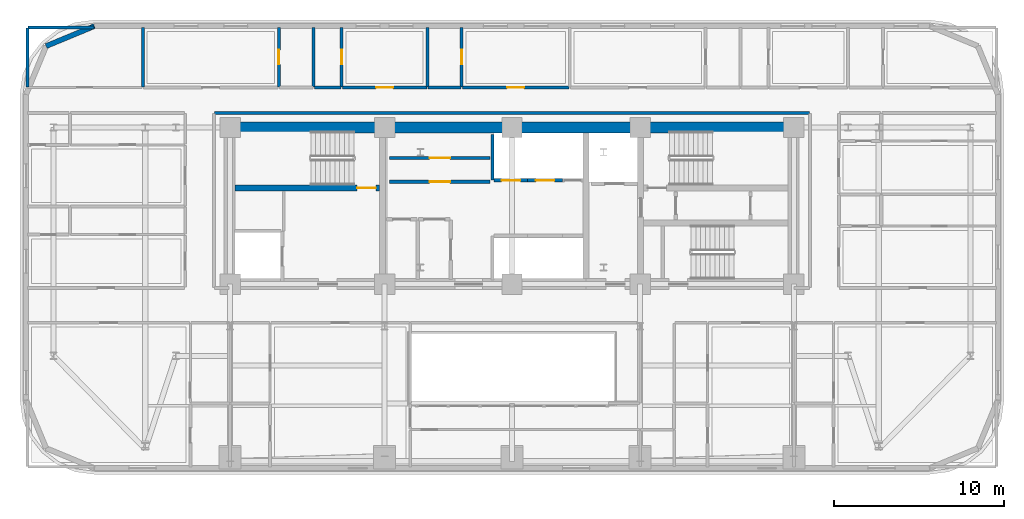
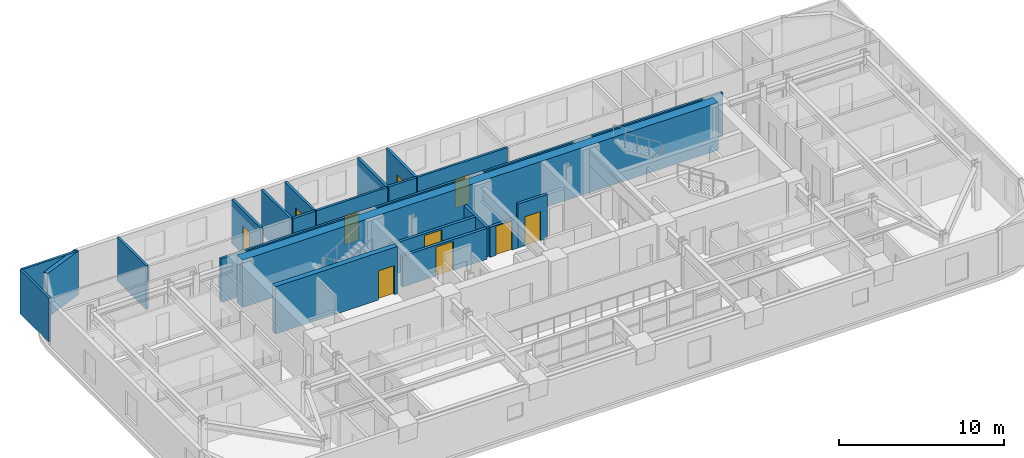
# One storey, part 10 of 16: 21 walls, 10 doors, 10 openings.
"""IFC4 building model written with IfcOpenShell, lengths in metres."""

import ifcopenshell
import ifcopenshell.guid

model = None  # the IFC model being written
_history = None  # IfcOwnerHistory: only IFC2X3 demands one
_inside = {}  # id of a spatial element -> (the spatial element, [elements in it])
_under = {}  # id of a project, library or spatial element -> (it, [spatial elements below it])
_declared = {}  # id of a project -> (the project, [libraries it declares])
_typed = {}  # id of a type object -> (the type object, [elements of that type])
_made_of = {}  # id of a material, layer set ... -> (it, [elements and type objects made of it])


def new_model(schema):
    """Start an empty IFC model of exactly this schema.

    Asked for "IFC4X3", IfcOpenShell would pick the latest addendum, in which some entities
    have other attributes; the version numbers below select the first issue.
    IFC2X3 requires an IfcOwnerHistory on every rooted entity: one is made here for all.
    """
    global model, _history
    if schema == "IFC4X3":
        model = ifcopenshell.file(schema_version=(4, 3, 0, 0))
    else:
        model = ifcopenshell.file(schema=schema)
    _inside.clear()
    _under.clear()
    _declared.clear()
    _typed.clear()
    _made_of.clear()
    _history = None
    if model.schema == "IFC2X3":
        org = make("IfcOrganization", Name="unknown")
        user = make(
            "IfcPersonAndOrganization",
            ThePerson=make("IfcPerson", FamilyName="unknown"),
            TheOrganization=org,
        )
        app = make(
            "IfcApplication",
            ApplicationDeveloper=org,
            Version="unknown",
            ApplicationFullName="unknown",
            ApplicationIdentifier="unknown",
        )
        _history = make(
            "IfcOwnerHistory",
            OwningUser=user,
            OwningApplication=app,
            ChangeAction="ADDED",
            CreationDate=0,
        )
    return model


def make(cls, **values):
    """One entity of the class cls with the attributes given. An attribute that is None is left unset."""
    return model.create_entity(
        cls, **{name: value for name, value in values.items() if value is not None}
    )


def rooted(cls, **values):
    """An entity with a GlobalId (a new one), such as an element, a storey or a relation."""
    return make(cls, GlobalId=ifcopenshell.guid.new(), OwnerHistory=_history, **values)


def si_unit(unit_type, name, prefix=None):
    """IfcSIUnit, for example si_unit("LENGTHUNIT", "METRE", prefix="MILLI")."""
    return make("IfcSIUnit", UnitType=unit_type, Prefix=prefix, Name=name)


def assignment(units):
    """IfcUnitAssignment: the units of a project."""
    return None if units is None else make("IfcUnitAssignment", Units=units)


def point(xyz):
    """IfcCartesianPoint."""
    return None if xyz is None else make("IfcCartesianPoint", Coordinates=xyz)


def direction(xyz):
    """IfcDirection."""
    return None if xyz is None else make("IfcDirection", DirectionRatios=xyz)


def frame(location, z_axis=None, x_axis=None):
    """IfcAxis2Placement3D, a coordinate frame: its origin and axes. An axis left out is left unset."""
    return make(
        "IfcAxis2Placement3D",
        Location=point(location),
        Axis=direction(z_axis),
        RefDirection=direction(x_axis),
    )


def frame_2d(location, x_axis=None):
    """IfcAxis2Placement2D, a coordinate frame in the plane: its origin and x axis."""
    return make(
        "IfcAxis2Placement2D", Location=point(location), RefDirection=direction(x_axis)
    )


def origin():
    """The frame at (0, 0, 0) with its axes left unset."""
    return frame((0.0, 0.0, 0.0))


def place(relative_to, where):
    """IfcLocalPlacement: puts the frame where relative to a parent placement (None: the world)."""
    return make(
        "IfcLocalPlacement", PlacementRelTo=relative_to, RelativePlacement=where
    )


def context(
    kind, dimensions, precision=None, world=None, true_north=None, identifier=None
):
    """IfcGeometricRepresentationContext, for example the 3D "Model" context."""
    return make(
        "IfcGeometricRepresentationContext",
        ContextIdentifier=identifier,
        ContextType=kind,
        CoordinateSpaceDimension=dimensions,
        Precision=precision,
        WorldCoordinateSystem=world,
        TrueNorth=true_north,
    )


def subcontext(parent, identifier, kind, view, scale=None):
    """IfcGeometricRepresentationSubContext, for example "Body" below "Model"."""
    return make(
        "IfcGeometricRepresentationSubContext",
        ContextIdentifier=identifier,
        ContextType=kind,
        ParentContext=parent,
        TargetScale=scale,
        TargetView=view,
    )


def project(units=None, contexts=None):
    """IfcProject with its units and contexts."""
    return rooted(
        "IfcProject",
        Name="project",
        RepresentationContexts=contexts,
        UnitsInContext=assignment(units),
    )


def spatial(cls, under=None, at=None, **own):
    """A site, building, storey or space (cls), placed at a placement, below another one or the project."""
    s = rooted(cls, ObjectPlacement=at, **own)
    if under is not None:
        _under.setdefault(under.id(), (under, []))[1].append(s)
    return s


def profile(cls, at=None, kind="AREA", **sizes):
    """A parametric profile (cls). Its sizes go by their IFC names, for example OverallWidth=200.0."""
    return make(cls, ProfileType=kind, Position=at, **sizes)


def rectangle(**sizes):
    """IfcRectangleProfileDef."""
    return profile("IfcRectangleProfileDef", **sizes)


def extrude(swept, where, along, depth):
    """IfcExtrudedAreaSolid: the profile swept, set in the frame where, extruded along a direction by depth."""
    return make(
        "IfcExtrudedAreaSolid",
        SweptArea=swept,
        Position=where,
        ExtrudedDirection=direction(along),
        Depth=depth,
    )


def shape(context_of_items, identifier, shape_type, items):
    """IfcShapeRepresentation: the items that make up one representation, for example the "Body"."""
    return make(
        "IfcShapeRepresentation",
        ContextOfItems=context_of_items,
        RepresentationIdentifier=identifier,
        RepresentationType=shape_type,
        Items=items,
    )


def material(Name=None, Category=None):
    """IfcMaterial."""
    return make("IfcMaterial", Name=Name, Category=Category)


def layer(
    of_material, thickness, ventilated=None, Name=None, Category=None, Priority=None
):
    """IfcMaterialLayer: one layer of a wall or slab, of a material (None: an air gap)."""
    return make(
        "IfcMaterialLayer",
        Material=of_material,
        LayerThickness=thickness,
        IsVentilated=ventilated,
        Name=Name,
        Category=Category,
        Priority=Priority,
    )


def layer_set(layers, Name=None):
    """IfcMaterialLayerSet."""
    return make("IfcMaterialLayerSet", MaterialLayers=layers, LayerSetName=Name)


def made_of(thing, what):
    """Note that an element or type object is made of a material, layer set ...; save() writes the relation."""
    if what is not None:
        _made_of.setdefault(what.id(), (what, []))[1].append(thing)
    return thing


def type_object(cls, material=None, **own):
    """A type object (cls), such as IfcWallType, which elements share."""
    return made_of(rooted(cls, **own), material)


def element(
    cls,
    number,
    at=None,
    inside=None,
    cuts=None,
    type_object=None,
    material=None,
    context=None,
    identifier="Body",
    shape_type=None,
    held_by="IfcProductDefinitionShape",
    body=None,
    shapes=None,
    **own,
):
    """One element of the class cls, such as IfcWall. Its Tag is "e" and its number.

    at: its placement. inside: the storey or other place that contains it. cuts: it is an
    opening in that element (IfcRelVoidsElement). A single representation is given by context,
    identifier, shape_type and body (its items); several are given by shapes. held_by: the class
    of the entity that holds the representations. save() writes the other relations.
    """
    e = rooted(cls, Tag="e%d" % number, ObjectPlacement=at, **own)
    if body is not None:
        shapes = [shape(context, identifier, shape_type, body)]
    if shapes is not None:
        e.Representation = make(held_by, Representations=shapes)
    if inside is not None:
        _inside.setdefault(inside.id(), (inside, []))[1].append(e)
    if cuts is not None:
        rooted(
            "IfcRelVoidsElement", RelatingBuildingElement=cuts, RelatedOpeningElement=e
        )
    if type_object is not None:
        _typed.setdefault(type_object.id(), (type_object, []))[1].append(e)
    return made_of(e, material)


def fill(opening, filler):
    """IfcRelFillsElement: the door or window that sits in an opening."""
    return rooted(
        "IfcRelFillsElement",
        RelatingOpeningElement=opening,
        RelatedBuildingElement=filler,
    )


def aggregate(whole, parts):
    """IfcRelAggregates: a whole, such as a stair, and the parts it consists of."""
    return rooted("IfcRelAggregates", RelatingObject=whole, RelatedObjects=parts)


def save(model, path):
    """Write the relations noted so far, then the file.

    IfcRelAggregates (storeys below a building ...), IfcRelContainedInSpatialStructure (elements
    in a storey), IfcRelDefinesByType, IfcRelAssociatesMaterial and IfcRelDeclares: one each for
    every whole, place, type object, material and project.
    """
    for whole, parts in _under.values():
        aggregate(whole, parts)
    for where, things in _inside.values():
        rooted(
            "IfcRelContainedInSpatialStructure",
            RelatedElements=things,
            RelatingStructure=where,
        )
    for kind, things in _typed.values():
        rooted("IfcRelDefinesByType", RelatedObjects=things, RelatingType=kind)
    for what, things in _made_of.values():
        rooted("IfcRelAssociatesMaterial", RelatedObjects=things, RelatingMaterial=what)
    for by, libraries in _declared.values():
        rooted("IfcRelDeclares", RelatingContext=by, RelatedDefinitions=libraries)
    model.write(path)


model = new_model("IFC4")

# Units and contexts
model_context = context("Model", 3, precision=1e-05, world=origin(), true_north=direction((0.0, 1.0)))
body_context = subcontext(model_context, "Body", "Model", "MODEL_VIEW")
ifc_project = project(units=[si_unit("LENGTHUNIT", "METRE"), si_unit("AREAUNIT", "SQUARE_METRE"), si_unit("VOLUMEUNIT", "CUBIC_METRE"), si_unit("PLANEANGLEUNIT", "RADIAN"), si_unit("MASSUNIT", "GRAM", prefix="KILO")], contexts=[model_context])

# Site, building, storey
site_placement = place(None, origin())
site = spatial("IfcSite", under=ifc_project, at=site_placement, CompositionType="ELEMENT")
building_placement = place(site_placement, origin())
building = spatial("IfcBuilding", under=site, at=building_placement, Name="Zarnavel Station Tower", CompositionType="ELEMENT")
storey_placement = place(building_placement, frame((0.0, 0.0, 94.300048828125)))
storey = spatial("IfcBuildingStorey", under=building, at=storey_placement, Name="L25", CompositionType="ELEMENT", Elevation=94.300048828125)

# Wall, opening, door
ifc_material_1 = material(Name="Concrete C50/60", Category="concrete")
ifc_layer_1 = layer(ifc_material_1, 0.35009765625)
ifc_layer_set_1 = layer_set([ifc_layer_1], Name="CW_350")
wall_type_1 = type_object("IfcWallType", Name="CW_350", PredefinedType="SHEAR", material=ifc_layer_set_1)
wall_1_placement = place(storey_placement, frame((21.0048828125, 33.47998046875, 0.0), z_axis=(0.0, 0.0, 1.0), x_axis=(-1.0, 0.0, 0.0)))
wall_1 = element("IfcWall", 1, at=wall_1_placement, inside=storey, type_object=wall_type_1, Name="L25 Rear Core Shear Wall DIV-H1", PredefinedType="SHEAR", context=body_context, shape_type="SweptSolid", body=[
    extrude(rectangle(XDim=8.52978515625, YDim=0.35009765625, at=frame_2d((4.264892578125, 0.0))), origin(), (0.0, 0.0, 1.0), 3.5),
])
opening_1_placement = place(wall_1_placement, frame((0.219970703125, 0.0, 0.0)))
opening_1 = element("IfcOpeningElement", 2, at=opening_1_placement, cuts=wall_1, Name="Opening FD01", PredefinedType="OPENING", context=body_context, shape_type="SweptSolid", body=[
    extrude(rectangle(XDim=1.10009765625, YDim=2.14990234375, at=frame_2d((0.550048828125, 1.074951171875))), frame((0.0, 0.18505859375, 0.0), z_axis=(0.0, -1.0, 0.0), x_axis=(1.0, 0.0, 0.0)), (0.0, 0.0, 1.0), 0.3701171875),
])
ifc_material_2 = material(Name="Painted Galvanised Steel and Hardwood Leaf", Category="steel")
door_type_1 = type_object("IfcDoorType", Name="ID_STAIR_1100", OperationType="NOTDEFINED", PredefinedType="DOOR", material=ifc_material_2)
door_1_placement = place(opening_1_placement, origin())
door_1 = element("IfcDoor", 3, at=door_1_placement, inside=storey, type_object=door_type_1, Name="L25 Stair ST1 Lobby Fire Door", OperationType="SINGLE_SWING_LEFT", OverallHeight=2.14990234375, OverallWidth=1.10009765625, PredefinedType="DOOR", context=body_context, shape_type="SweptSolid", body=[
    extrude(rectangle(XDim=1.10009765625, YDim=2.14990234375, at=frame_2d((0.550048828125, 1.074951171875))), frame((0.0, 0.02490234375, 0.0), z_axis=(0.0, -1.0, 0.0), x_axis=(1.0, 0.0, 0.0)), (0.0, 0.0, 1.0), 0.050048828125),
])
fill(opening_1, door_1)

# Walls
ifc_material_3 = material(Name="Concrete C60/75", Category="concrete")
ifc_layer_2 = layer(ifc_material_3, 0.64990234375)
ifc_layer_set_2 = layer_set([ifc_layer_2], Name="CW_650")
wall_type_2 = type_object("IfcWallType", Name="CW_650", PredefinedType="SHEAR", material=ifc_layer_set_2)
wall_2_placement = place(storey_placement, frame((12.14990234375, 37.050048828125, 0.0), z_axis=(0.0, 0.0, 1.0), x_axis=(1.0, 0.0, 0.0)))
element("IfcWall", 4, at=wall_2_placement, inside=storey, type_object=wall_type_2, Name="L25 Rear Core Shear Wall N", PredefinedType="SHEAR", context=body_context, shape_type="SweptSolid", body=[
    extrude(rectangle(XDim=33.22998046875, YDim=0.64990234375, at=frame_2d((16.614990234375, 0.0))), origin(), (0.0, 0.0, 1.0), 3.5),
])
ifc_material_4 = material(Name="Precast concrete C45/55 (Dark Basalt Finish)", Category="masonry")
ifc_layer_3 = layer(ifc_material_4, 0.300048828125)
ifc_layer_set_3 = layer_set([ifc_layer_3], Name="EW_BASALT_300")
wall_type_3 = type_object("IfcWallType", Name="EW_BASALT_300", PredefinedType="SOLIDWALL", material=ifc_layer_set_3)
wall_3_placement = place(storey_placement, frame((1.357421875, 41.842529296875, 0.0), z_axis=(0.0, 0.0, 1.0), x_axis=(0.923870793506, 0.382704529509, 0.0)))
element("IfcWall", 5, at=wall_3_placement, inside=storey, type_object=wall_type_3, Name="L25 Exterior Basalt Masonry Frame Wall 07", PredefinedType="SOLIDWALL", context=body_context, shape_type="SweptSolid", body=[
    extrude(rectangle(XDim=3.07666015625, YDim=0.300048828125, at=frame_2d((1.538330078125, 0.0))), origin(), (0.0, 0.0, 1.0), 3.239990234375),
])

# Wall, opening, door
ifc_material_5 = material(Name="Gypsum Twin-Stud Acoustic Fire Partition", Category="concrete")
ifc_layer_4 = layer(ifc_material_5, 0.159912109375)
ifc_layer_set_4 = layer_set([ifc_layer_4], Name="PT_DEMISE_160")
wall_type_4 = type_object("IfcWallType", Name="PT_DEMISE_160", PredefinedType="PARTITIONING", material=ifc_layer_set_4)
wall_4_placement = place(storey_placement, frame((18.805908203125, 39.39990234375, 0.0), z_axis=(0.0, 0.0, 1.0), x_axis=(1.0, 0.0, 0.0)))
wall_4 = element("IfcWall", 6, at=wall_4_placement, inside=storey, type_object=wall_type_4, Name="L25 Partition COR-N-HN2R", PredefinedType="PARTITIONING", context=body_context, shape_type="SweptSolid", body=[
    extrude(rectangle(XDim=4.97412109375, YDim=0.159912109375, at=frame_2d((2.487060546875, 0.0))), origin(), (0.0, 0.0, 1.0), 3.239990234375),
])
opening_2_placement = place(wall_4_placement, frame((1.987060546875, 0.0, 0.0)))
opening_2 = element("IfcOpeningElement", 7, at=opening_2_placement, cuts=wall_4, Name="Opening FD02", PredefinedType="OPENING", context=body_context, shape_type="SweptSolid", body=[
    extrude(rectangle(XDim=1.0, YDim=2.14990234375, at=frame_2d((0.5, 1.074951171875))), frame((0.0, 0.08984375, 0.0), z_axis=(0.0, -1.0, 0.0), x_axis=(1.0, 0.0, 0.0)), (0.0, 0.0, 1.0), 0.179931640625),
])
ifc_material_6 = material(Name="Painted Galvanised Steel and Hardwood Leaf", Category="steel")
door_type_2 = type_object("IfcDoorType", Name="ID_ENTRY_1000", OperationType="NOTDEFINED", PredefinedType="DOOR", material=ifc_material_6)
door_2_placement = place(opening_2_placement, origin())
door_2 = element("IfcDoor", 8, at=door_2_placement, inside=storey, type_object=door_type_2, Name="L25 Door COR-N-HN2R", OperationType="SINGLE_SWING_LEFT", OverallHeight=2.14990234375, OverallWidth=1.0, PredefinedType="DOOR", context=body_context, shape_type="SweptSolid", body=[
    extrude(rectangle(XDim=1.0, YDim=2.14990234375, at=frame_2d((0.5, 1.074951171875))), frame((0.0, 0.02490234375, 0.0), z_axis=(0.0, -1.0, 0.0), x_axis=(1.0, 0.0, 0.0)), (0.0, 0.0, 1.0), 0.050048828125),
])
fill(opening_2, door_2)

wall_5_placement = place(storey_placement, frame((25.87109375, 39.39990234375, 0.0), z_axis=(0.0, 0.0, 1.0), x_axis=(1.0, 0.0, 0.0)))
wall_5 = element("IfcWall", 9, at=wall_5_placement, inside=storey, type_object=wall_type_4, Name="L25 Partition COR-N-HN3R", PredefinedType="PARTITIONING", context=body_context, shape_type="SweptSolid", body=[
    extrude(rectangle(XDim=6.288818359375, YDim=0.159912109375, at=frame_2d((3.14453125, 0.0))), origin(), (0.0, 0.0, 1.0), 3.239990234375),
])
opening_3_placement = place(wall_5_placement, frame((2.64453125, 0.0, 0.0)))
opening_3 = element("IfcOpeningElement", 10, at=opening_3_placement, cuts=wall_5, Name="Opening FD02", PredefinedType="OPENING", context=body_context, shape_type="SweptSolid", body=[
    extrude(rectangle(XDim=1.0, YDim=2.14990234375, at=frame_2d((0.5, 1.074951171875))), frame((0.0, 0.08984375, 0.0), z_axis=(0.0, -1.0, 0.0), x_axis=(1.0, 0.0, 0.0)), (0.0, 0.0, 1.0), 0.179931640625),
])
door_3_placement = place(opening_3_placement, origin())
door_3 = element("IfcDoor", 11, at=door_3_placement, inside=storey, type_object=door_type_2, Name="L25 Door COR-N-HN3R", OperationType="SINGLE_SWING_RIGHT", OverallHeight=2.14990234375, OverallWidth=1.0, PredefinedType="DOOR", context=body_context, shape_type="SweptSolid", body=[
    extrude(rectangle(XDim=1.0, YDim=2.14990234375, at=frame_2d((0.5, 1.074951171875))), frame((0.0, 0.02490234375, 0.0), z_axis=(0.0, -1.0, 0.0), x_axis=(1.0, 0.0, 0.0)), (0.0, 0.0, 1.0), 0.050048828125),
])
fill(opening_3, door_3)

# Walls
wall_6_placement = place(storey_placement, frame((7.06005859375, 39.43994140625, 0.0), z_axis=(0.0, 0.0, 1.0), x_axis=(0.0, 1.0, 0.0)))
element("IfcWall", 12, at=wall_6_placement, inside=storey, type_object=wall_type_4, Name="L25 Partition HSKP-HN1R", PredefinedType="PARTITIONING", context=body_context, shape_type="SweptSolid", body=[
    extrude(rectangle(XDim=3.5, YDim=0.159912109375, at=frame_2d((1.75, 0.0))), origin(), (0.0, 0.0, 1.0), 3.239990234375),
])
wall_7_placement = place(storey_placement, frame((11.280029296875, 37.89990234375, 0.0), z_axis=(0.0, 0.0, 1.0), x_axis=(1.0, 0.0, 0.0)))
element("IfcWall", 13, at=wall_7_placement, inside=storey, type_object=wall_type_4, Name="L25 Enclosure Wall COR-N", PredefinedType="PARTITIONING", context=body_context, shape_type="SweptSolid", body=[
    extrude(rectangle(XDim=35.0400390625, YDim=0.159912109375, at=frame_2d((17.52001953125, 0.0))), origin(), (0.0, 0.0, 1.0), 3.239990234375),
])
wall_8_placement = place(storey_placement, frame((0.2900390625, 42.93994140625, 0.0), z_axis=(0.0, 0.0, 1.0), x_axis=(1.0, 0.0, 0.0)))
element("IfcWall", 14, at=wall_8_placement, inside=storey, type_object=wall_type_4, Name="L25 Enclosure Wall HSKP", PredefinedType="PARTITIONING", context=body_context, shape_type="SweptSolid", body=[
    extrude(rectangle(XDim=3.8798828125, YDim=0.159912109375, at=frame_2d((1.93994140625, 0.0))), origin(), (0.0, 0.0, 1.0), 3.239990234375),
])
wall_9_placement = place(storey_placement, frame((0.260009765625, 39.429931640625, 0.0), z_axis=(0.0, 0.0, 1.0), x_axis=(0.0, 1.0, 0.0)))
element("IfcWall", 15, at=wall_9_placement, inside=storey, type_object=wall_type_4, Name="L25 Enclosure Wall HSKP", PredefinedType="PARTITIONING", context=body_context, shape_type="SweptSolid", body=[
    extrude(rectangle(XDim=3.47998046875, YDim=0.159912109375, at=frame_2d((1.739990234375, 0.0))), origin(), (0.0, 0.0, 1.0), 3.239990234375),
])

# Wall, opening, door
ifc_material_7 = material(Name="Precast concrete C45/55 (Fire Shaft Blockwork)", Category="masonry")
ifc_layer_5 = layer(ifc_material_7, 0.199951171875)
ifc_layer_set_5 = layer_set([ifc_layer_5], Name="PT_SHAFT_200")
wall_type_5 = type_object("IfcWallType", Name="PT_SHAFT_200", PredefinedType="PARTITIONING", material=ifc_layer_set_5)
wall_10_placement = place(storey_placement, frame((27.75, 33.929931640625, 0.0), z_axis=(0.0, 0.0, 1.0), x_axis=(1.0, 0.0, 0.0)))
wall_10 = element("IfcWall", 16, at=wall_10_placement, inside=storey, type_object=wall_type_5, Name="L25 Lift PL-M1 Shaft Front Wall", PredefinedType="PARTITIONING", context=body_context, shape_type="SweptSolid", body=[
    extrude(rectangle(XDim=1.97509765625, YDim=0.199951171875, at=frame_2d((0.987548828125, 0.0))), origin(), (0.0, 0.0, 1.0), 2.2119140625),
])
opening_4_placement = place(wall_10_placement, frame((0.4375, 0.0, 0.0)))
opening_4 = element("IfcOpeningElement", 17, at=opening_4_placement, cuts=wall_10, Name="Opening LD02", PredefinedType="OPENING", context=body_context, shape_type="SweptSolid", body=[
    extrude(rectangle(XDim=1.10009765625, YDim=2.14990234375, at=frame_2d((0.550048828125, 1.074951171875))), frame((0.0, 0.10986328125, 0.0), z_axis=(0.0, -1.0, 0.0), x_axis=(1.0, 0.0, 0.0)), (0.0, 0.0, 1.0), 0.219970703125),
])
ifc_material_8 = material(Name="Painted Galvanised Steel and Hardwood Leaf", Category="steel")
door_type_3 = type_object("IfcDoorType", Name="LD_PAX_1100", OperationType="DOUBLE_DOOR_SLIDING", PredefinedType="DOOR", material=ifc_material_8)
door_4_placement = place(opening_4_placement, origin())
door_4 = element("IfcDoor", 18, at=door_4_placement, inside=storey, type_object=door_type_3, Name="L25 Lift PL-M1 Sliding Landing Door", OperationType="DOUBLE_DOOR_SLIDING", OverallHeight=2.14990234375, OverallWidth=1.10009765625, PredefinedType="DOOR", context=body_context, shape_type="SweptSolid", body=[
    extrude(rectangle(XDim=1.10009765625, YDim=2.14990234375, at=frame_2d((0.550048828125, 1.074951171875))), frame((0.0, 0.02490234375, 0.0), z_axis=(0.0, -1.0, 0.0), x_axis=(1.0, 0.0, 0.0)), (0.0, 0.0, 1.0), 0.050048828125),
])
fill(opening_4, door_4)

# Wall
wall_11_placement = place(storey_placement, frame((27.64990234375, 33.949951171875, 0.0), z_axis=(0.0, 0.0, 1.0), x_axis=(0.0, 1.0, 0.0)))
element("IfcWall", 19, at=wall_11_placement, inside=storey, type_object=wall_type_5, Name="L25 Mid-Rise Lift Bank West Shaft Wall", PredefinedType="PARTITIONING", context=body_context, shape_type="SweptSolid", body=[
    extrude(rectangle(XDim=2.679931640625, YDim=0.199951171875, at=frame_2d((1.33984375, 0.0))), origin(), (0.0, 0.0, 1.0), 2.2119140625),
])

# Wall, opening, door
wall_12_placement = place(storey_placement, frame((29.72509765625, 33.929931640625, 0.0), z_axis=(0.0, 0.0, 1.0), x_axis=(1.0, 0.0, 0.0)))
wall_12 = element("IfcWall", 20, at=wall_12_placement, inside=storey, type_object=wall_type_5, Name="L25 Lift PL-M2 Shaft Front Wall", PredefinedType="PARTITIONING", context=body_context, shape_type="SweptSolid", body=[
    extrude(rectangle(XDim=2.0498046875, YDim=0.199951171875, at=frame_2d((1.02490234375, 0.0))), origin(), (0.0, 0.0, 1.0), 3.239990234375),
])
opening_5_placement = place(wall_12_placement, frame((0.47509765625, 0.0, 0.0)))
opening_5 = element("IfcOpeningElement", 21, at=opening_5_placement, cuts=wall_12, Name="Opening LD02", PredefinedType="OPENING", context=body_context, shape_type="SweptSolid", body=[
    extrude(rectangle(XDim=1.10009765625, YDim=2.14990234375, at=frame_2d((0.550048828125, 1.074951171875))), frame((0.0, 0.10986328125, 0.0), z_axis=(0.0, -1.0, 0.0), x_axis=(1.0, 0.0, 0.0)), (0.0, 0.0, 1.0), 0.219970703125),
])
door_5_placement = place(opening_5_placement, origin())
door_5 = element("IfcDoor", 22, at=door_5_placement, inside=storey, type_object=door_type_3, Name="L25 Lift PL-M2 Sliding Landing Door", OperationType="DOUBLE_DOOR_SLIDING", OverallHeight=2.14990234375, OverallWidth=1.10009765625, PredefinedType="DOOR", context=body_context, shape_type="SweptSolid", body=[
    extrude(rectangle(XDim=1.10009765625, YDim=2.14990234375, at=frame_2d((0.550048828125, 1.074951171875))), frame((0.0, 0.02490234375, 0.0), z_axis=(0.0, -1.0, 0.0), x_axis=(1.0, 0.0, 0.0)), (0.0, 0.0, 1.0), 0.050048828125),
])
fill(opening_5, door_5)

wall_13_placement = place(storey_placement, frame((21.590087890625, 33.85009765625, 0.0), z_axis=(0.0, 0.0, 1.0), x_axis=(1.0, 0.0, 0.0)))
wall_13 = element("IfcWall", 23, at=wall_13_placement, inside=storey, type_object=wall_type_5, Name="L25 Partition LLOB-FB1A", PredefinedType="PARTITIONING", context=body_context, shape_type="SweptSolid", body=[
    extrude(rectangle(XDim=5.919921875, YDim=0.199951171875, at=frame_2d((2.9599609375, 0.0))), origin(), (0.0, 0.0, 1.0), 2.280029296875),
])
opening_6_placement = place(wall_13_placement, frame((2.360107421875, 0.0, 0.0)))
opening_6 = element("IfcOpeningElement", 24, at=opening_6_placement, cuts=wall_13, Name="Opening FD03", PredefinedType="OPENING", context=body_context, shape_type="SweptSolid", body=[
    extrude(rectangle(XDim=1.199951171875, YDim=2.14990234375, at=frame_2d((0.60009765625, 1.074951171875))), frame((0.0, 0.10986328125, 0.0), z_axis=(0.0, -1.0, 0.0), x_axis=(1.0, 0.0, 0.0)), (0.0, 0.0, 1.0), 0.219970703125),
])
ifc_material_9 = material(Name="Painted Galvanised Steel and Hardwood Leaf", Category="steel")
door_type_4 = type_object("IfcDoorType", Name="ID_PLANT_1200", OperationType="NOTDEFINED", PredefinedType="DOOR", material=ifc_material_9)
door_6_placement = place(opening_6_placement, origin())
door_6 = element("IfcDoor", 25, at=door_6_placement, inside=storey, type_object=door_type_4, Name="L25 Door LLOB-FB1A", OperationType="SINGLE_SWING_RIGHT", OverallHeight=2.14990234375, OverallWidth=1.199951171875, PredefinedType="DOOR", context=body_context, shape_type="SweptSolid", body=[
    extrude(rectangle(XDim=1.199951171875, YDim=2.14990234375, at=frame_2d((0.60009765625, 1.074951171875))), frame((0.0, 0.02490234375, 0.0), z_axis=(0.0, -1.0, 0.0), x_axis=(1.0, 0.0, 0.0)), (0.0, 0.0, 1.0), 0.050048828125),
])
fill(opening_6, door_6)

wall_14_placement = place(storey_placement, frame((21.590087890625, 35.25, 0.0), z_axis=(0.0, 0.0, 1.0), x_axis=(1.0, 0.0, 0.0)))
wall_14 = element("IfcWall", 26, at=wall_14_placement, inside=storey, type_object=wall_type_5, Name="L25 Partition FB1A-FB1B", PredefinedType="PARTITIONING", context=body_context, shape_type="SweptSolid", body=[
    extrude(rectangle(XDim=5.919921875, YDim=0.199951171875, at=frame_2d((2.9599609375, 0.0))), origin(), (0.0, 0.0, 1.0), 2.280029296875),
])
opening_7_placement = place(wall_14_placement, frame((2.360107421875, 0.0, 0.0)))
opening_7 = element("IfcOpeningElement", 27, at=opening_7_placement, cuts=wall_14, Name="Opening FD03", PredefinedType="OPENING", context=body_context, shape_type="SweptSolid", body=[
    extrude(rectangle(XDim=1.199951171875, YDim=2.14990234375, at=frame_2d((0.60009765625, 1.074951171875))), frame((0.0, 0.10986328125, 0.0), z_axis=(0.0, -1.0, 0.0), x_axis=(1.0, 0.0, 0.0)), (0.0, 0.0, 1.0), 0.219970703125),
])
door_7_placement = place(opening_7_placement, origin())
door_7 = element("IfcDoor", 28, at=door_7_placement, inside=storey, type_object=door_type_4, Name="L25 Door FB1A-FB1B", OperationType="SINGLE_SWING_RIGHT", OverallHeight=2.14990234375, OverallWidth=1.199951171875, PredefinedType="DOOR", context=body_context, shape_type="SweptSolid", body=[
    extrude(rectangle(XDim=1.199951171875, YDim=2.14990234375, at=frame_2d((0.60009765625, 1.074951171875))), frame((0.0, 0.02490234375, 0.0), z_axis=(0.0, -1.0, 0.0), x_axis=(1.0, 0.0, 0.0)), (0.0, 0.0, 1.0), 0.050048828125),
])
fill(opening_7, door_7)

# Walls
ifc_material_10 = material(Name="Moisture-Resistant Plumbing Chase Wall", Category="concrete")
ifc_layer_6 = layer(ifc_material_10, 0.179931640625)
ifc_layer_set_6 = layer_set([ifc_layer_6], Name="PW_PLUMB_180")
wall_type_6 = type_object("IfcWallType", Name="PW_PLUMB_180", PredefinedType="PLUMBINGWALL", material=ifc_layer_set_6)
wall_15_placement = place(storey_placement, frame((17.156005859375, 39.39990234375, 0.0), z_axis=(0.0, 0.0, 1.0), x_axis=(1.0, 0.0, 0.0)))
element("IfcWall", 29, at=wall_15_placement, inside=storey, type_object=wall_type_6, Name="L25 Partition COR-N-HN2B", PredefinedType="PLUMBINGWALL", context=body_context, shape_type="SweptSolid", body=[
    extrude(rectangle(XDim=1.570068359375, YDim=0.179931640625, at=frame_2d((0.78515625, 0.0))), origin(), (0.0, 0.0, 1.0), 3.239990234375),
])
wall_16_placement = place(storey_placement, frame((23.860107421875, 39.39990234375, 0.0), z_axis=(0.0, 0.0, 1.0), x_axis=(1.0, 0.0, 0.0)))
element("IfcWall", 30, at=wall_16_placement, inside=storey, type_object=wall_type_6, Name="L25 Partition COR-N-HN3B", PredefinedType="PLUMBINGWALL", context=body_context, shape_type="SweptSolid", body=[
    extrude(rectangle(XDim=1.930908203125, YDim=0.179931640625, at=frame_2d((0.96533203125, 0.0))), origin(), (0.0, 0.0, 1.0), 3.239990234375),
])

# Wall, opening, door
wall_17_placement = place(storey_placement, frame((15.06591796875, 39.43994140625, 0.0), z_axis=(0.0, 0.0, 1.0), x_axis=(0.0, 1.0, 0.0)))
wall_17 = element("IfcWall", 31, at=wall_17_placement, inside=storey, type_object=wall_type_6, Name="L25 Partition HN1R-HN1B", PredefinedType="PLUMBINGWALL", context=body_context, shape_type="SweptSolid", body=[
    extrude(rectangle(XDim=3.5, YDim=0.179931640625, at=frame_2d((1.75, 0.0))), origin(), (0.0, 0.0, 1.0), 3.239990234375),
])
opening_8_placement = place(wall_17_placement, frame((1.324951171875, 0.0, 0.0)))
opening_8 = element("IfcOpeningElement", 32, at=opening_8_placement, cuts=wall_17, Name="Opening ID02", PredefinedType="OPENING", context=body_context, shape_type="SweptSolid", body=[
    extrude(rectangle(XDim=0.85009765625, YDim=2.10009765625, at=frame_2d((0.425048828125, 1.050048828125))), frame((0.0, 0.099853515625, 0.0), z_axis=(0.0, -1.0, 0.0), x_axis=(1.0, 0.0, 0.0)), (0.0, 0.0, 1.0), 0.199951171875),
])
ifc_material_11 = material(Name="Painted Galvanised Steel and Hardwood Leaf", Category="steel")
door_type_5 = type_object("IfcDoorType", Name="ID_BATH_850", OperationType="NOTDEFINED", PredefinedType="DOOR", material=ifc_material_11)
door_8_placement = place(opening_8_placement, origin())
door_8 = element("IfcDoor", 33, at=door_8_placement, inside=storey, type_object=door_type_5, Name="L25 Door HN1R-HN1B", OperationType="SINGLE_SWING_RIGHT", OverallHeight=2.10009765625, OverallWidth=0.85009765625, PredefinedType="DOOR", context=body_context, shape_type="SweptSolid", body=[
    extrude(rectangle(XDim=0.85009765625, YDim=2.10009765625, at=frame_2d((0.425048828125, 1.050048828125))), frame((0.0, 0.02490234375, 0.0), z_axis=(0.0, -1.0, 0.0), x_axis=(1.0, 0.0, 0.0)), (0.0, 0.0, 1.0), 0.050048828125),
])
fill(opening_8, door_8)

# Wall
wall_18_placement = place(storey_placement, frame((17.115966796875, 39.43994140625, 0.0), z_axis=(0.0, 0.0, 1.0), x_axis=(0.0, 1.0, 0.0)))
element("IfcWall", 34, at=wall_18_placement, inside=storey, type_object=wall_type_6, Name="L25 Partition HN1B-HN2B", PredefinedType="PLUMBINGWALL", context=body_context, shape_type="SweptSolid", body=[
    extrude(rectangle(XDim=3.5, YDim=0.179931640625, at=frame_2d((1.75, 0.0))), origin(), (0.0, 0.0, 1.0), 3.239990234375),
])

# Wall, opening, door
wall_19_placement = place(storey_placement, frame((18.76611328125, 39.43994140625, 0.0), z_axis=(0.0, 0.0, 1.0), x_axis=(0.0, 1.0, 0.0)))
wall_19 = element("IfcWall", 35, at=wall_19_placement, inside=storey, type_object=wall_type_6, Name="L25 Partition HN2R-HN2B", PredefinedType="PLUMBINGWALL", context=body_context, shape_type="SweptSolid", body=[
    extrude(rectangle(XDim=3.5, YDim=0.179931640625, at=frame_2d((1.75, 0.0))), origin(), (0.0, 0.0, 1.0), 3.239990234375),
])
opening_9_placement = place(wall_19_placement, frame((1.324951171875, 0.0, 0.0)))
opening_9 = element("IfcOpeningElement", 36, at=opening_9_placement, cuts=wall_19, Name="Opening ID02", PredefinedType="OPENING", context=body_context, shape_type="SweptSolid", body=[
    extrude(rectangle(XDim=0.85009765625, YDim=2.10009765625, at=frame_2d((0.425048828125, 1.050048828125))), frame((0.0, 0.099853515625, 0.0), z_axis=(0.0, -1.0, 0.0), x_axis=(1.0, 0.0, 0.0)), (0.0, 0.0, 1.0), 0.199951171875),
])
door_9_placement = place(opening_9_placement, origin())
door_9 = element("IfcDoor", 37, at=door_9_placement, inside=storey, type_object=door_type_5, Name="L25 Door HN2R-HN2B", OperationType="SINGLE_SWING_LEFT", OverallHeight=2.10009765625, OverallWidth=0.85009765625, PredefinedType="DOOR", context=body_context, shape_type="SweptSolid", body=[
    extrude(rectangle(XDim=0.85009765625, YDim=2.10009765625, at=frame_2d((0.425048828125, 1.050048828125))), frame((0.0, 0.02490234375, 0.0), z_axis=(0.0, -1.0, 0.0), x_axis=(1.0, 0.0, 0.0)), (0.0, 0.0, 1.0), 0.050048828125),
])
fill(opening_9, door_9)

# Wall
wall_20_placement = place(storey_placement, frame((23.820068359375, 39.43994140625, 0.0), z_axis=(0.0, 0.0, 1.0), x_axis=(0.0, 1.0, 0.0)))
element("IfcWall", 38, at=wall_20_placement, inside=storey, type_object=wall_type_6, Name="L25 Partition HN2R-HN3B", PredefinedType="PLUMBINGWALL", context=body_context, shape_type="SweptSolid", body=[
    extrude(rectangle(XDim=3.5, YDim=0.179931640625, at=frame_2d((1.75, 0.0))), origin(), (0.0, 0.0, 1.0), 3.239990234375),
])

# Wall, opening, door
wall_21_placement = place(storey_placement, frame((25.8310546875, 39.43994140625, 0.0), z_axis=(0.0, 0.0, 1.0), x_axis=(0.0, 1.0, 0.0)))
wall_21 = element("IfcWall", 39, at=wall_21_placement, inside=storey, type_object=wall_type_6, Name="L25 Partition HN3R-HN3B", PredefinedType="PLUMBINGWALL", context=body_context, shape_type="SweptSolid", body=[
    extrude(rectangle(XDim=3.5, YDim=0.179931640625, at=frame_2d((1.75, 0.0))), origin(), (0.0, 0.0, 1.0), 3.239990234375),
])
opening_10_placement = place(wall_21_placement, frame((1.324951171875, 0.0, 0.0)))
opening_10 = element("IfcOpeningElement", 40, at=opening_10_placement, cuts=wall_21, Name="Opening ID02", PredefinedType="OPENING", context=body_context, shape_type="SweptSolid", body=[
    extrude(rectangle(XDim=0.85009765625, YDim=2.10009765625, at=frame_2d((0.425048828125, 1.050048828125))), frame((0.0, 0.099853515625, 0.0), z_axis=(0.0, -1.0, 0.0), x_axis=(1.0, 0.0, 0.0)), (0.0, 0.0, 1.0), 0.199951171875),
])
door_10_placement = place(opening_10_placement, origin())
door_10 = element("IfcDoor", 41, at=door_10_placement, inside=storey, type_object=door_type_5, Name="L25 Door HN3R-HN3B", OperationType="SINGLE_SWING_RIGHT", OverallHeight=2.10009765625, OverallWidth=0.85009765625, PredefinedType="DOOR", context=body_context, shape_type="SweptSolid", body=[
    extrude(rectangle(XDim=0.85009765625, YDim=2.10009765625, at=frame_2d((0.425048828125, 1.050048828125))), frame((0.0, 0.02490234375, 0.0), z_axis=(0.0, -1.0, 0.0), x_axis=(1.0, 0.0, 0.0)), (0.0, 0.0, 1.0), 0.050048828125),
])
fill(opening_10, door_10)

save(model, "model.ifc")
